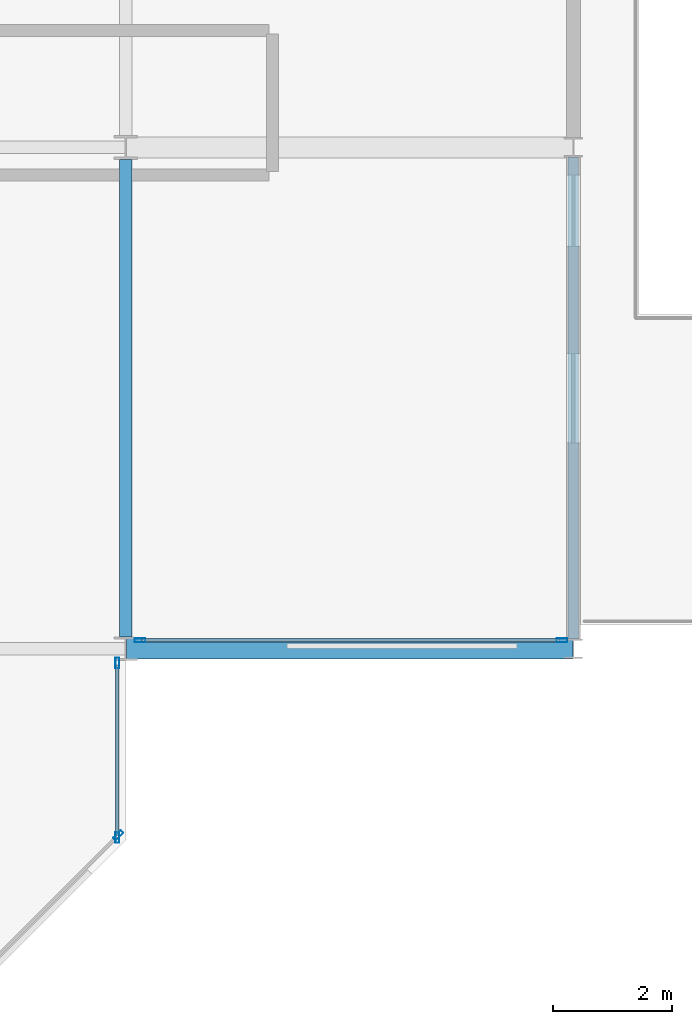
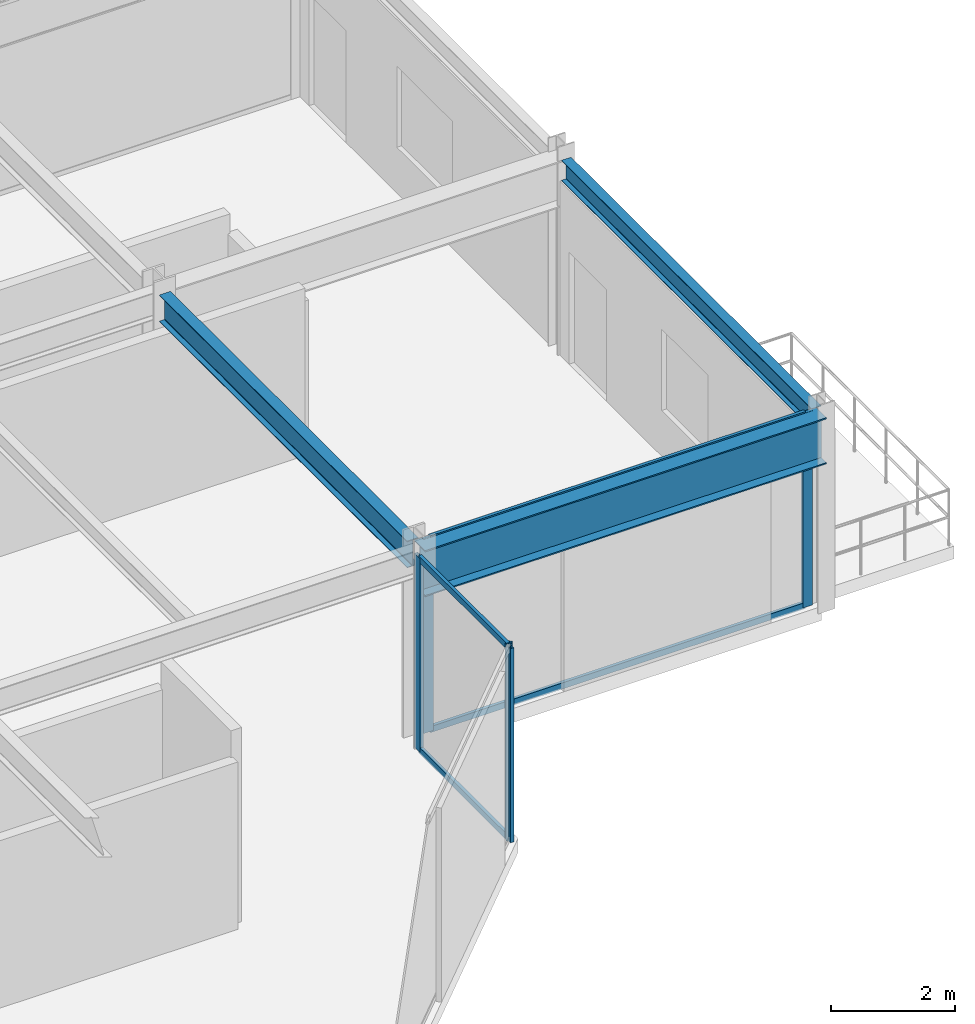
# One storey, part 18 of 38: 9 members, 3 beams, 3 elements without a shape of their own.
"""IFC4 building model written with IfcOpenShell, lengths in metres."""

from ifc_helpers import new_model, si_unit, direction, frame, origin, origin_2d, place, context, subcontext, project, spatial, hollow_rectangle, i_section, extrude, material, layer, layer_set, material_profile, profile_set, type_object, element, aggregate, save


model = new_model("IFC4")

# Units and contexts
model_context = context("Model", 3, precision=1e-05, world=origin(), true_north=direction((0.0, 1.0)))
body_context = subcontext(model_context, "Body", "Model", "MODEL_VIEW")
ifc_project = project(units=[si_unit("LENGTHUNIT", "METRE"), si_unit("AREAUNIT", "SQUARE_METRE"), si_unit("VOLUMEUNIT", "CUBIC_METRE"), si_unit("PLANEANGLEUNIT", "RADIAN"), si_unit("MASSUNIT", "GRAM", prefix="KILO")], contexts=[model_context])

# Site, building, storey
site_placement = place(None, origin())
site = spatial("IfcSite", under=ifc_project, at=site_placement, CompositionType="ELEMENT")
building_placement = place(site_placement, origin())
building = spatial("IfcBuilding", under=site, at=building_placement, Name="Nerrivon Quay Data Exchange", CompositionType="ELEMENT")
storey_placement = place(building_placement, frame((0.0, 0.0, 84.39990234375)))
storey = spatial("IfcBuildingStorey", under=building, at=storey_placement, Name="L19", CompositionType="ELEMENT", Elevation=84.39990234375)

# Beams
ifc_material_1 = material(Name="Steel Grade 350", Category="steel")
ifc_material_profile_1 = material_profile(ifc_material_1, i_section(OverallWidth=0.35009765625, OverallDepth=0.909912109375, WebThickness=0.011962890625, FlangeThickness=0.02490234375, at=origin_2d()), Name="900WB218")
ifc_profile_set_1 = profile_set([ifc_material_profile_1], Name="Steel Grade 350")
beam_type_1 = type_object("IfcBeamType", Name="BM-CANT-900WB", PredefinedType="USERDEFINED", material=ifc_profile_set_1)
beam_1_placement = place(storey_placement, frame((50.41259765625, 8.39990234375, 3.3701171875), z_axis=(1.0, 0.0, 0.0), x_axis=(0.0, 1.0, 0.0)))
element("IfcBeam", 1, at=beam_1_placement, inside=storey, type_object=beam_type_1, Name="L19 East Hooked Cantilever Girder Y=8.4", ObjectType="TRANSFER", PredefinedType="USERDEFINED", context=body_context, shape_type="SweptSolid", body=[
    extrude(i_section(OverallWidth=0.35009765625, OverallDepth=0.909912109375, WebThickness=0.011962890625, FlangeThickness=0.02490234375, at=origin_2d()), origin(), (0.0, 0.0, 1.0), 7.4794921875),
])
ifc_material_profile_2 = material_profile(ifc_material_1, i_section(OverallWidth=0.208984375, OverallDepth=0.528076171875, WebThickness=0.009521484375, FlangeThickness=0.01318359375, FilletRadius=0.013916015625, at=origin_2d()), Name="530UB82.0")
ifc_profile_set_2 = profile_set([ifc_material_profile_2], Name="Steel Grade 350")
beam_type_2 = type_object("IfcBeamType", Name="BM-G4-530UB82", PredefinedType="BEAM", material=ifc_profile_set_2)
beam_2_placement = place(storey_placement, frame((50.39990234375, 8.60009765625, 3.56103515625), z_axis=(0.0, 1.0, 0.0), x_axis=(-1.0, 0.0, 0.0)))
element("IfcBeam", 2, at=beam_2_placement, inside=storey, type_object=beam_type_2, Name="L19 NS Girder X=50.4 (8.4..16.8)", PredefinedType="BEAM", context=body_context, shape_type="SweptSolid", body=[
    extrude(i_section(OverallWidth=0.208984375, OverallDepth=0.528076171875, WebThickness=0.009521484375, FlangeThickness=0.01318359375, FilletRadius=0.013916015625, at=origin_2d()), origin(), (0.0, 0.0, 1.0), 8.0),
])
ifc_material_profile_3 = material_profile(ifc_material_1, i_section(OverallWidth=0.177978515625, OverallDepth=0.403076171875, WebThickness=0.007568359375, FlangeThickness=0.010986328125, FilletRadius=0.011474609375, at=origin_2d()), Name="410UB53.7")
ifc_profile_set_3 = profile_set([ifc_material_profile_3], Name="Steel Grade 350")
beam_type_3 = type_object("IfcBeamType", Name="BM-SP2-410UB54", PredefinedType="SPANDREL", material=ifc_profile_set_3)
beam_3_placement = place(storey_placement, frame((57.89990234375, 8.5634765625, 3.62353515625), z_axis=(0.0, 1.0, 0.0), x_axis=(-1.0, 0.0, 0.0)))
element("IfcBeam", 3, at=beam_3_placement, inside=storey, type_object=beam_type_3, Name="L19 East Hooked Edge Spandrel", PredefinedType="SPANDREL", context=body_context, shape_type="SweptSolid", body=[
    extrude(i_section(OverallWidth=0.177978515625, OverallDepth=0.403076171875, WebThickness=0.007568359375, FlangeThickness=0.010986328125, FilletRadius=0.011474609375, at=origin_2d()), origin(), (0.0, 0.0, 1.0), 8.072998046875),
])

# Curtain wall, members
ifc_material_2 = material(Name="Anodised aluminium 6063-T6", Category="aluminium")
ifc_layer_1 = layer(ifc_material_2, 0.199951171875)
ifc_layer_set_1 = layer_set([ifc_layer_1], Name="Anodised aluminium 6063-T6")
curtain_wall_type_1 = type_object("IfcCurtainWallType", Name="CW-SYS-04", PredefinedType="NOTDEFINED", material=ifc_layer_set_1)
curtain_wall_1_placement = place(storey_placement, origin())
curtain_wall_1 = element("IfcCurtainWall", 4, at=curtain_wall_1_placement, inside=storey, type_object=curtain_wall_type_1, Name="L19 Unitised Curtain Wall 3", PredefinedType="NOTDEFINED")
ifc_material_profile_4 = material_profile(ifc_material_2, hollow_rectangle(XDim=0.06494140625, YDim=0.179931640625, WallThickness=0.00341796875, at=origin_2d()), Name="ALU-MULL-180x65")
ifc_profile_set_4 = profile_set([ifc_material_profile_4], Name="Anodised aluminium 6063-T6")
member_type_1 = type_object("IfcMemberType", Name="CWM-180x65", PredefinedType="MULLION", material=ifc_profile_set_4)
member_1_placement = place(storey_placement, frame((57.70703125, 8.5400390625, 0.0), z_axis=(0.0, 0.0, 1.0), x_axis=(0.0, -1.0, 0.0)))
member_1 = element("IfcMember", 5, at=member_1_placement, type_object=member_type_1, Name="CW04 mullion 1", PredefinedType="MULLION", context=body_context, shape_type="SweptSolid", body=[
    extrude(hollow_rectangle(XDim=0.06494140625, YDim=0.179931640625, WallThickness=0.00341796875, at=origin_2d()), origin(), (0.0, 0.0, 1.0), 3.8251953125),
])
member_2_placement = place(storey_placement, frame((50.637451171875, 8.5400390625, 0.0), z_axis=(0.0, 0.0, 1.0), x_axis=(0.0, -1.0, 0.0)))
member_2 = element("IfcMember", 6, at=member_2_placement, type_object=member_type_1, Name="CW04 mullion 2", PredefinedType="MULLION", context=body_context, shape_type="SweptSolid", body=[
    extrude(hollow_rectangle(XDim=0.06494140625, YDim=0.179931640625, WallThickness=0.00341796875, at=origin_2d()), origin(), (0.0, 0.0, 1.0), 3.8251953125),
])

ifc_layer_2 = layer(ifc_material_2, 0.2099609375)
ifc_layer_set_2 = layer_set([ifc_layer_2], Name="Anodised aluminium 6063-T6")
curtain_wall_type_2 = type_object("IfcCurtainWallType", Name="CW-SYS-02", PredefinedType="NOTDEFINED", material=ifc_layer_set_2)
curtain_wall_2_placement = place(storey_placement, origin())
curtain_wall_2 = element("IfcCurtainWall", 7, at=curtain_wall_2_placement, inside=storey, type_object=curtain_wall_type_2, Name="L19 Unitised Curtain Wall 4", PredefinedType="NOTDEFINED")
member_3_placement = place(storey_placement, frame((50.260009765625, 8.16259765625, 0.0), z_axis=(0.0, 0.0, 1.0), x_axis=(1.0, 0.0, 0.0)))
member_3 = element("IfcMember", 8, at=member_3_placement, type_object=member_type_1, Name="CW02 mullion 1", PredefinedType="MULLION", context=body_context, shape_type="SweptSolid", body=[
    extrude(hollow_rectangle(XDim=0.06494140625, YDim=0.179931640625, WallThickness=0.00341796875, at=origin_2d()), origin(), (0.0, 0.0, 1.0), 3.8251953125),
])
member_4_placement = place(storey_placement, frame((50.260009765625, 5.237548828125, 0.0), z_axis=(0.0, 0.0, 1.0), x_axis=(1.0, 0.0, 0.0)))
member_4 = element("IfcMember", 9, at=member_4_placement, type_object=member_type_1, Name="CW02 mullion 2", PredefinedType="MULLION", context=body_context, shape_type="SweptSolid", body=[
    extrude(hollow_rectangle(XDim=0.06494140625, YDim=0.179931640625, WallThickness=0.00341796875, at=origin_2d()), origin(), (0.0, 0.0, 1.0), 3.8251953125),
])

# Curtain wall, member
curtain_wall_3_placement = place(storey_placement, origin())
curtain_wall_3 = element("IfcCurtainWall", 10, at=curtain_wall_3_placement, inside=storey, type_object=curtain_wall_type_2, Name="L19 Unitised Curtain Wall 5", PredefinedType="NOTDEFINED")
member_5_placement = place(storey_placement, frame((50.2744140625, 5.2724609375, 0.0), z_axis=(0.0, 0.0, 1.0), x_axis=(0.707106781187, -0.707106781187, 0.0)))
member_5 = element("IfcMember", 11, at=member_5_placement, type_object=member_type_1, Name="CW02 mullion 1", PredefinedType="MULLION", context=body_context, shape_type="SweptSolid", body=[
    extrude(hollow_rectangle(XDim=0.06494140625, YDim=0.179931640625, WallThickness=0.00341796875, at=origin_2d()), origin(), (0.0, 0.0, 1.0), 3.8251953125),
])
aggregate(curtain_wall_3, [member_5])

# Member
ifc_material_profile_5 = material_profile(ifc_material_2, hollow_rectangle(XDim=0.06005859375, YDim=0.1201171875, WallThickness=0.003173828125, at=origin_2d()), Name="ALU-TRAN-120x60")
ifc_profile_set_5 = profile_set([ifc_material_profile_5], Name="Anodised aluminium 6063-T6")
member_type_2 = type_object("IfcMemberType", Name="CWT-120x60", PredefinedType="USERDEFINED", material=ifc_profile_set_5)
member_6_placement = place(storey_placement, frame((57.66943359375, 8.5400390625, 0.03271484375), z_axis=(-1.0, 0.0, 0.0), x_axis=(0.0, -1.0, 0.0)))
member_6 = element("IfcMember", 12, at=member_6_placement, type_object=member_type_2, Name="CW04 transom 1.1", ObjectType="TRANSOM", PredefinedType="USERDEFINED", context=body_context, shape_type="SweptSolid", body=[
    extrude(hollow_rectangle(XDim=0.06005859375, YDim=0.1201171875, WallThickness=0.003173828125, at=origin_2d()), origin(), (0.0, 0.0, 1.0), 6.994384765625),
])

member_7_placement = place(storey_placement, frame((57.66943359375, 8.5400390625, 3.79248046875), z_axis=(-1.0, 0.0, 0.0), x_axis=(0.0, -1.0, 0.0)))
member_7 = element("IfcMember", 13, at=member_7_placement, type_object=member_type_2, Name="CW04 transom 1.2", ObjectType="TRANSOM", PredefinedType="USERDEFINED", context=body_context, shape_type="SweptSolid", body=[
    extrude(hollow_rectangle(XDim=0.06005859375, YDim=0.1201171875, WallThickness=0.003173828125, at=origin_2d()), origin(), (0.0, 0.0, 1.0), 6.994384765625),
])

aggregate(curtain_wall_1, [member_1, member_2, member_6, member_7])

member_8_placement = place(storey_placement, frame((50.260009765625, 8.125, 0.03271484375), z_axis=(0.0, -1.0, 0.0), x_axis=(1.0, 0.0, 0.0)))
member_8 = element("IfcMember", 14, at=member_8_placement, type_object=member_type_2, Name="CW02 transom 1.1", ObjectType="TRANSOM", PredefinedType="USERDEFINED", context=body_context, shape_type="SweptSolid", body=[
    extrude(hollow_rectangle(XDim=0.06005859375, YDim=0.1201171875, WallThickness=0.003173828125, at=origin_2d()), origin(), (0.0, 0.0, 1.0), 2.85009765625),
])

member_9_placement = place(storey_placement, frame((50.260009765625, 8.125, 3.79248046875), z_axis=(0.0, -1.0, 0.0), x_axis=(1.0, 0.0, 0.0)))
member_9 = element("IfcMember", 15, at=member_9_placement, type_object=member_type_2, Name="CW02 transom 1.2", ObjectType="TRANSOM", PredefinedType="USERDEFINED", context=body_context, shape_type="SweptSolid", body=[
    extrude(hollow_rectangle(XDim=0.06005859375, YDim=0.1201171875, WallThickness=0.003173828125, at=origin_2d()), origin(), (0.0, 0.0, 1.0), 2.85009765625),
])

aggregate(curtain_wall_2, [member_3, member_4, member_8, member_9])

save(model, "model.ifc")
